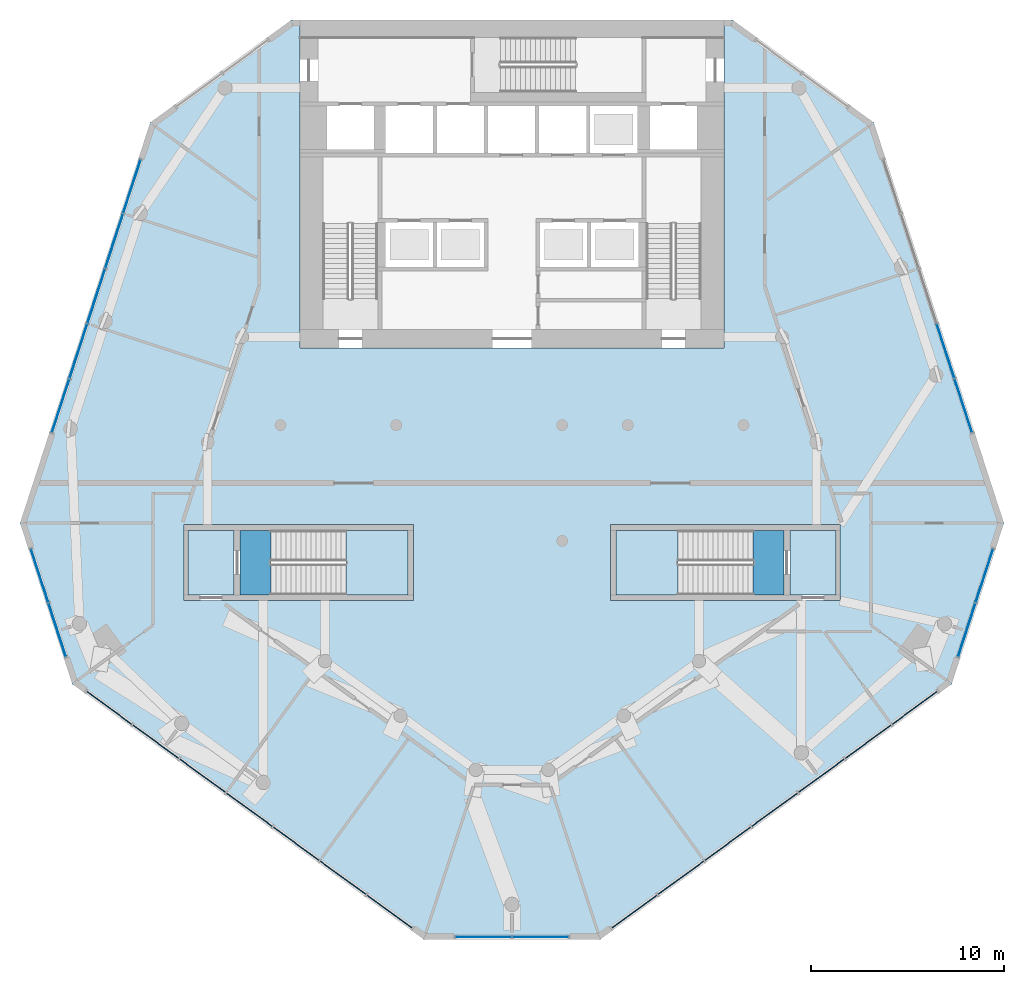
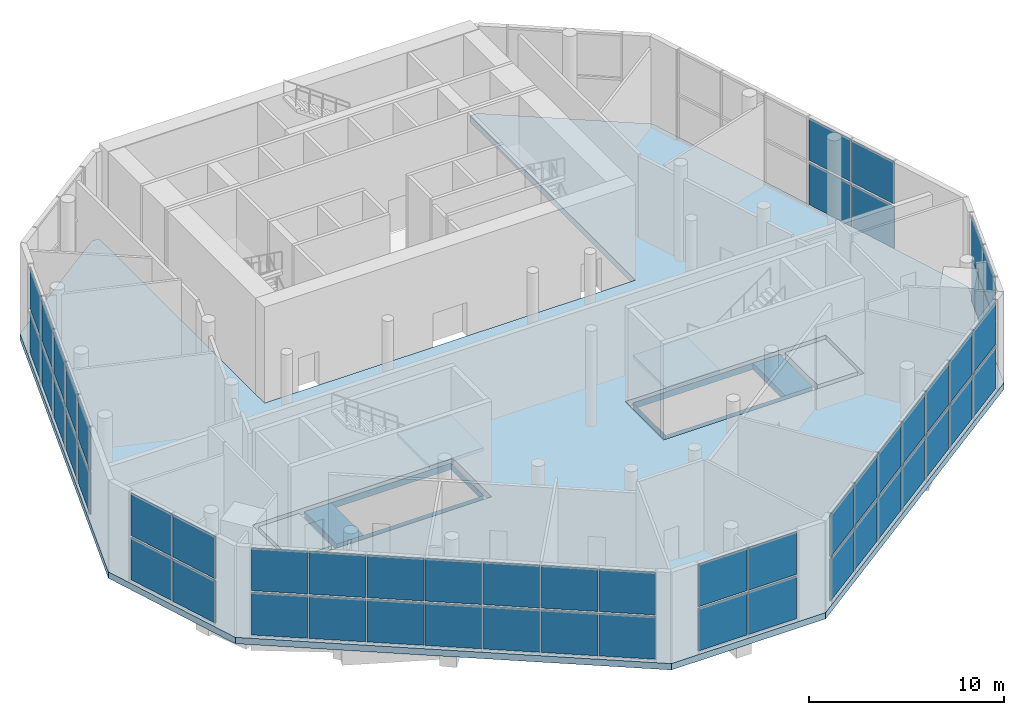
# One storey, part 6 of 14: 54 plates, 7 slabs, 9 elements without a shape of their own.
"""IFC4 building model written with IfcOpenShell, lengths in metres."""

from ifc_helpers import new_model, si_unit, direction, frame, origin, origin_2d, place, context, subcontext, project, spatial, polyline, rectangle, outline, extrude, material, layer, layer_set, type_object, element, aggregate, save


model = new_model("IFC4")

# Units and contexts
model_context = context("Model", 3, precision=1e-05, world=origin(), true_north=direction((0.0, 1.0)))
body_context = subcontext(model_context, "Body", "Model", "MODEL_VIEW")
ifc_project = project(units=[si_unit("LENGTHUNIT", "METRE"), si_unit("AREAUNIT", "SQUARE_METRE"), si_unit("VOLUMEUNIT", "CUBIC_METRE"), si_unit("PLANEANGLEUNIT", "RADIAN"), si_unit("MASSUNIT", "GRAM", prefix="KILO")], contexts=[model_context])

# Site, building, storey
site_placement = place(None, origin())
site = spatial("IfcSite", under=ifc_project, at=site_placement, CompositionType="ELEMENT")
building_placement = place(site_placement, origin())
building = spatial("IfcBuilding", under=site, at=building_placement, Name="White Candle Pilgrim Tower", CompositionType="ELEMENT")
storey_placement = place(building_placement, frame((0.0, 0.0, 142.60009765625)))
storey = spatial("IfcBuildingStorey", under=building, at=storey_placement, Name="L32", CompositionType="ELEMENT", Elevation=142.60009765625)

# Curtain wall, plates
ifc_material_1 = material(Name="Aluminium and glass", Category="aluminium")
curtain_wall_type = type_object("IfcCurtainWallType", Name="Curtain wall CW4 sky floor glazing", PredefinedType="NOTDEFINED", material=ifc_material_1)
curtain_wall_1_placement = place(storey_placement, origin())
curtain_wall_1 = element("IfcCurtainWall", 1, at=curtain_wall_1_placement, inside=storey, type_object=curtain_wall_type, Name="Curtain wall CW4 L32 W chamfer", PredefinedType="NOTDEFINED")
ifc_material_2 = material(Name="Glass, triple glazed", Category="glass")
ifc_layer_1 = layer(ifc_material_2, 0.0439453125)
ifc_layer_set_1 = layer_set([ifc_layer_1], Name="CW4 glazing panel 44")
plate_type = type_object("IfcPlateType", Name="CW4 glazing panel 44", PredefinedType="CURTAIN_PANEL", material=ifc_layer_set_1)
plate_1_placement = place(storey_placement, frame((45.5146484375, 59.19873046875, 0.14013671875), z_axis=(0.0, 0.0, 1.0), x_axis=(0.309017017829, -0.951056508674, 0.0)))
plate_1 = element("IfcPlate", 2, at=plate_1_placement, type_object=plate_type, Name="CW4 panel 1.1", PredefinedType="CURTAIN_PANEL", context=body_context, shape_type="SweptSolid", body=[
    extrude(rectangle(XDim=2.8798828125, YDim=0.0439453125, at=origin_2d()), origin(), (0.0, 0.0, 1.0), 2.639892578125),
])
plate_2_placement = place(storey_placement, frame((45.5146484375, 59.19873046875, 2.919921875), z_axis=(0.0, 0.0, 1.0), x_axis=(0.309017017829, -0.951056508674, 0.0)))
plate_2 = element("IfcPlate", 3, at=plate_2_placement, type_object=plate_type, Name="CW4 panel 1.2", PredefinedType="CURTAIN_PANEL", context=body_context, shape_type="SweptSolid", body=[
    extrude(rectangle(XDim=2.8798828125, YDim=0.0439453125, at=origin_2d()), origin(), (0.0, 0.0, 1.0), 2.639892578125),
])
plate_3_placement = place(storey_placement, frame((46.42919921875, 56.383544921875, 0.14013671875), z_axis=(0.0, 0.0, 1.0), x_axis=(0.309017017829, -0.951056508674, 0.0)))
plate_3 = element("IfcPlate", 4, at=plate_3_placement, type_object=plate_type, Name="CW4 panel 2.1", PredefinedType="CURTAIN_PANEL", context=body_context, shape_type="SweptSolid", body=[
    extrude(rectangle(XDim=2.8798828125, YDim=0.0439453125, at=origin_2d()), origin(), (0.0, 0.0, 1.0), 2.639892578125),
])
plate_4_placement = place(storey_placement, frame((46.42919921875, 56.383544921875, 2.919921875), z_axis=(0.0, 0.0, 1.0), x_axis=(0.309017017829, -0.951056508674, 0.0)))
plate_4 = element("IfcPlate", 5, at=plate_4_placement, type_object=plate_type, Name="CW4 panel 2.2", PredefinedType="CURTAIN_PANEL", context=body_context, shape_type="SweptSolid", body=[
    extrude(rectangle(XDim=2.8798828125, YDim=0.0439453125, at=origin_2d()), origin(), (0.0, 0.0, 1.0), 2.639892578125),
])
aggregate(curtain_wall_1, [plate_1, plate_2, plate_3, plate_4])

curtain_wall_2_placement = place(storey_placement, origin())
curtain_wall_2 = element("IfcCurtainWall", 6, at=curtain_wall_2_placement, inside=storey, type_object=curtain_wall_type, Name="Curtain wall CW4 L32 SW", PredefinedType="NOTDEFINED")
plate_5_placement = place(storey_placement, frame((49.125, 52.3447265625, 0.14013671875), z_axis=(0.0, 0.0, 1.0), x_axis=(0.809016999002, -0.587785245924, 0.0)))
plate_5 = element("IfcPlate", 7, at=plate_5_placement, type_object=plate_type, Name="CW4 panel 1.1", PredefinedType="CURTAIN_PANEL", context=body_context, shape_type="SweptSolid", body=[
    extrude(rectangle(XDim=2.8798828125, YDim=0.0439453125, at=origin_2d()), origin(), (0.0, 0.0, 1.0), 2.639892578125),
])
plate_6_placement = place(storey_placement, frame((49.125, 52.3447265625, 2.919921875), z_axis=(0.0, 0.0, 1.0), x_axis=(0.809016999002, -0.587785245924, 0.0)))
plate_6 = element("IfcPlate", 8, at=plate_6_placement, type_object=plate_type, Name="CW4 panel 1.2", PredefinedType="CURTAIN_PANEL", context=body_context, shape_type="SweptSolid", body=[
    extrude(rectangle(XDim=2.8798828125, YDim=0.0439453125, at=origin_2d()), origin(), (0.0, 0.0, 1.0), 2.639892578125),
])
plate_7_placement = place(storey_placement, frame((51.53564453125, 50.593017578125, 0.14013671875), z_axis=(0.0, 0.0, 1.0), x_axis=(0.809016999002, -0.587785245924, 0.0)))
plate_7 = element("IfcPlate", 9, at=plate_7_placement, type_object=plate_type, Name="CW4 panel 2.1", PredefinedType="CURTAIN_PANEL", context=body_context, shape_type="SweptSolid", body=[
    extrude(rectangle(XDim=2.919921875, YDim=0.0439453125, at=origin_2d()), origin(), (0.0, 0.0, 1.0), 2.639892578125),
])
plate_8_placement = place(storey_placement, frame((51.53564453125, 50.593017578125, 2.919921875), z_axis=(0.0, 0.0, 1.0), x_axis=(0.809016999002, -0.587785245924, 0.0)))
plate_8 = element("IfcPlate", 10, at=plate_8_placement, type_object=plate_type, Name="CW4 panel 2.2", PredefinedType="CURTAIN_PANEL", context=body_context, shape_type="SweptSolid", body=[
    extrude(rectangle(XDim=2.919921875, YDim=0.0439453125, at=origin_2d()), origin(), (0.0, 0.0, 1.0), 2.639892578125),
])
plate_9_placement = place(storey_placement, frame((53.962890625, 48.829833984375, 0.14013671875), z_axis=(0.0, 0.0, 1.0), x_axis=(0.809016999002, -0.587785245924, 0.0)))
plate_9 = element("IfcPlate", 11, at=plate_9_placement, type_object=plate_type, Name="CW4 panel 3.1", PredefinedType="CURTAIN_PANEL", context=body_context, shape_type="SweptSolid", body=[
    extrude(rectangle(XDim=2.919921875, YDim=0.0439453125, at=origin_2d()), origin(), (0.0, 0.0, 1.0), 2.639892578125),
])
plate_10_placement = place(storey_placement, frame((53.962890625, 48.829833984375, 2.919921875), z_axis=(0.0, 0.0, 1.0), x_axis=(0.809016999002, -0.587785245924, 0.0)))
plate_10 = element("IfcPlate", 12, at=plate_10_placement, type_object=plate_type, Name="CW4 panel 3.2", PredefinedType="CURTAIN_PANEL", context=body_context, shape_type="SweptSolid", body=[
    extrude(rectangle(XDim=2.919921875, YDim=0.0439453125, at=origin_2d()), origin(), (0.0, 0.0, 1.0), 2.639892578125),
])
plate_11_placement = place(storey_placement, frame((56.389892578125, 47.06640625, 0.14013671875), z_axis=(0.0, 0.0, 1.0), x_axis=(0.809016999002, -0.587785245924, 0.0)))
plate_11 = element("IfcPlate", 13, at=plate_11_placement, type_object=plate_type, Name="CW4 panel 4.1", PredefinedType="CURTAIN_PANEL", context=body_context, shape_type="SweptSolid", body=[
    extrude(rectangle(XDim=2.919921875, YDim=0.0439453125, at=origin_2d()), origin(), (0.0, 0.0, 1.0), 2.639892578125),
])
plate_12_placement = place(storey_placement, frame((56.389892578125, 47.06640625, 2.919921875), z_axis=(0.0, 0.0, 1.0), x_axis=(0.809016999002, -0.587785245924, 0.0)))
plate_12 = element("IfcPlate", 14, at=plate_12_placement, type_object=plate_type, Name="CW4 panel 4.2", PredefinedType="CURTAIN_PANEL", context=body_context, shape_type="SweptSolid", body=[
    extrude(rectangle(XDim=2.919921875, YDim=0.0439453125, at=origin_2d()), origin(), (0.0, 0.0, 1.0), 2.639892578125),
])
plate_13_placement = place(storey_placement, frame((58.81689453125, 45.302978515625, 0.14013671875), z_axis=(0.0, 0.0, 1.0), x_axis=(0.809016999002, -0.587785245924, 0.0)))
plate_13 = element("IfcPlate", 15, at=plate_13_placement, type_object=plate_type, Name="CW4 panel 5.1", PredefinedType="CURTAIN_PANEL", context=body_context, shape_type="SweptSolid", body=[
    extrude(rectangle(XDim=2.919921875, YDim=0.0439453125, at=origin_2d()), origin(), (0.0, 0.0, 1.0), 2.639892578125),
])
plate_14_placement = place(storey_placement, frame((58.81689453125, 45.302978515625, 2.919921875), z_axis=(0.0, 0.0, 1.0), x_axis=(0.809016999002, -0.587785245924, 0.0)))
plate_14 = element("IfcPlate", 16, at=plate_14_placement, type_object=plate_type, Name="CW4 panel 5.2", PredefinedType="CURTAIN_PANEL", context=body_context, shape_type="SweptSolid", body=[
    extrude(rectangle(XDim=2.919921875, YDim=0.0439453125, at=origin_2d()), origin(), (0.0, 0.0, 1.0), 2.639892578125),
])
plate_15_placement = place(storey_placement, frame((61.243896484375, 43.539794921875, 0.14013671875), z_axis=(0.0, 0.0, 1.0), x_axis=(0.809016999002, -0.587785245924, 0.0)))
plate_15 = element("IfcPlate", 17, at=plate_15_placement, type_object=plate_type, Name="CW4 panel 6.1", PredefinedType="CURTAIN_PANEL", context=body_context, shape_type="SweptSolid", body=[
    extrude(rectangle(XDim=2.919921875, YDim=0.0439453125, at=origin_2d()), origin(), (0.0, 0.0, 1.0), 2.639892578125),
])
plate_16_placement = place(storey_placement, frame((61.243896484375, 43.539794921875, 2.919921875), z_axis=(0.0, 0.0, 1.0), x_axis=(0.809016999002, -0.587785245924, 0.0)))
plate_16 = element("IfcPlate", 18, at=plate_16_placement, type_object=plate_type, Name="CW4 panel 6.2", PredefinedType="CURTAIN_PANEL", context=body_context, shape_type="SweptSolid", body=[
    extrude(rectangle(XDim=2.919921875, YDim=0.0439453125, at=origin_2d()), origin(), (0.0, 0.0, 1.0), 2.639892578125),
])
plate_17_placement = place(storey_placement, frame((63.65478515625, 41.7880859375, 0.14013671875), z_axis=(0.0, 0.0, 1.0), x_axis=(0.809016999002, -0.587785245924, 0.0)))
plate_17 = element("IfcPlate", 19, at=plate_17_placement, type_object=plate_type, Name="CW4 panel 7.1", PredefinedType="CURTAIN_PANEL", context=body_context, shape_type="SweptSolid", body=[
    extrude(rectangle(XDim=2.8798828125, YDim=0.0439453125, at=origin_2d()), origin(), (0.0, 0.0, 1.0), 2.639892578125),
])
plate_18_placement = place(storey_placement, frame((63.65478515625, 41.7880859375, 2.919921875), z_axis=(0.0, 0.0, 1.0), x_axis=(0.809016999002, -0.587785245924, 0.0)))
plate_18 = element("IfcPlate", 20, at=plate_18_placement, type_object=plate_type, Name="CW4 panel 7.2", PredefinedType="CURTAIN_PANEL", context=body_context, shape_type="SweptSolid", body=[
    extrude(rectangle(XDim=2.8798828125, YDim=0.0439453125, at=origin_2d()), origin(), (0.0, 0.0, 1.0), 2.639892578125),
])
aggregate(curtain_wall_2, [plate_5, plate_6, plate_7, plate_8, plate_9, plate_10, plate_11, plate_12, plate_13, plate_14, plate_15, plate_16, plate_17, plate_18])

curtain_wall_3_placement = place(storey_placement, origin())
curtain_wall_3 = element("IfcCurtainWall", 21, at=curtain_wall_3_placement, inside=storey, type_object=curtain_wall_type, Name="Curtain wall CW4 L32 S chamfer", PredefinedType="NOTDEFINED")
plate_19_placement = place(storey_placement, frame((68.52001953125, 40.472412109375, 0.14013671875), z_axis=(0.0, 0.0, 1.0), x_axis=(1.0, 0.0, 0.0)))
plate_19 = element("IfcPlate", 22, at=plate_19_placement, type_object=plate_type, Name="CW4 panel 1.1", PredefinedType="CURTAIN_PANEL", context=body_context, shape_type="SweptSolid", body=[
    extrude(rectangle(XDim=2.8798828125, YDim=0.0439453125, at=origin_2d()), origin(), (0.0, 0.0, 1.0), 2.639892578125),
])
plate_20_placement = place(storey_placement, frame((68.52001953125, 40.472412109375, 2.919921875), z_axis=(0.0, 0.0, 1.0), x_axis=(1.0, 0.0, 0.0)))
plate_20 = element("IfcPlate", 23, at=plate_20_placement, type_object=plate_type, Name="CW4 panel 1.2", PredefinedType="CURTAIN_PANEL", context=body_context, shape_type="SweptSolid", body=[
    extrude(rectangle(XDim=2.8798828125, YDim=0.0439453125, at=origin_2d()), origin(), (0.0, 0.0, 1.0), 2.639892578125),
])
plate_21_placement = place(storey_placement, frame((71.47998046875, 40.472412109375, 0.14013671875), z_axis=(0.0, 0.0, 1.0), x_axis=(1.0, 0.0, 0.0)))
plate_21 = element("IfcPlate", 24, at=plate_21_placement, type_object=plate_type, Name="CW4 panel 2.1", PredefinedType="CURTAIN_PANEL", context=body_context, shape_type="SweptSolid", body=[
    extrude(rectangle(XDim=2.8798828125, YDim=0.0439453125, at=origin_2d()), origin(), (0.0, 0.0, 1.0), 2.639892578125),
])
plate_22_placement = place(storey_placement, frame((71.47998046875, 40.472412109375, 2.919921875), z_axis=(0.0, 0.0, 1.0), x_axis=(1.0, 0.0, 0.0)))
plate_22 = element("IfcPlate", 25, at=plate_22_placement, type_object=plate_type, Name="CW4 panel 2.2", PredefinedType="CURTAIN_PANEL", context=body_context, shape_type="SweptSolid", body=[
    extrude(rectangle(XDim=2.8798828125, YDim=0.0439453125, at=origin_2d()), origin(), (0.0, 0.0, 1.0), 2.639892578125),
])
aggregate(curtain_wall_3, [plate_19, plate_20, plate_21, plate_22])

curtain_wall_4_placement = place(storey_placement, origin())
curtain_wall_4 = element("IfcCurtainWall", 26, at=curtain_wall_4_placement, inside=storey, type_object=curtain_wall_type, Name="Curtain wall CW4 L32 SE", PredefinedType="NOTDEFINED")
plate_23_placement = place(storey_placement, frame((76.34521484375, 41.7880859375, 0.14013671875), z_axis=(0.0, 0.0, 1.0), x_axis=(0.809016999002, 0.587785245924, 0.0)))
plate_23 = element("IfcPlate", 27, at=plate_23_placement, type_object=plate_type, Name="CW4 panel 1.1", PredefinedType="CURTAIN_PANEL", context=body_context, shape_type="SweptSolid", body=[
    extrude(rectangle(XDim=2.8798828125, YDim=0.0439453125, at=origin_2d()), origin(), (0.0, 0.0, 1.0), 2.639892578125),
])
plate_24_placement = place(storey_placement, frame((76.34521484375, 41.7880859375, 2.919921875), z_axis=(0.0, 0.0, 1.0), x_axis=(0.809016999002, 0.587785245924, 0.0)))
plate_24 = element("IfcPlate", 28, at=plate_24_placement, type_object=plate_type, Name="CW4 panel 1.2", PredefinedType="CURTAIN_PANEL", context=body_context, shape_type="SweptSolid", body=[
    extrude(rectangle(XDim=2.8798828125, YDim=0.0439453125, at=origin_2d()), origin(), (0.0, 0.0, 1.0), 2.639892578125),
])
plate_25_placement = place(storey_placement, frame((78.756103515625, 43.539794921875, 0.14013671875), z_axis=(0.0, 0.0, 1.0), x_axis=(0.809016999002, 0.587785245924, 0.0)))
plate_25 = element("IfcPlate", 29, at=plate_25_placement, type_object=plate_type, Name="CW4 panel 2.1", PredefinedType="CURTAIN_PANEL", context=body_context, shape_type="SweptSolid", body=[
    extrude(rectangle(XDim=2.919921875, YDim=0.0439453125, at=origin_2d()), origin(), (0.0, 0.0, 1.0), 2.639892578125),
])
plate_26_placement = place(storey_placement, frame((78.756103515625, 43.539794921875, 2.919921875), z_axis=(0.0, 0.0, 1.0), x_axis=(0.809016999002, 0.587785245924, 0.0)))
plate_26 = element("IfcPlate", 30, at=plate_26_placement, type_object=plate_type, Name="CW4 panel 2.2", PredefinedType="CURTAIN_PANEL", context=body_context, shape_type="SweptSolid", body=[
    extrude(rectangle(XDim=2.919921875, YDim=0.0439453125, at=origin_2d()), origin(), (0.0, 0.0, 1.0), 2.639892578125),
])
plate_27_placement = place(storey_placement, frame((81.18310546875, 45.302978515625, 0.14013671875), z_axis=(0.0, 0.0, 1.0), x_axis=(0.809016999002, 0.587785245924, 0.0)))
plate_27 = element("IfcPlate", 31, at=plate_27_placement, type_object=plate_type, Name="CW4 panel 3.1", PredefinedType="CURTAIN_PANEL", context=body_context, shape_type="SweptSolid", body=[
    extrude(rectangle(XDim=2.919921875, YDim=0.0439453125, at=origin_2d()), origin(), (0.0, 0.0, 1.0), 2.639892578125),
])
plate_28_placement = place(storey_placement, frame((81.18310546875, 45.302978515625, 2.919921875), z_axis=(0.0, 0.0, 1.0), x_axis=(0.809016999002, 0.587785245924, 0.0)))
plate_28 = element("IfcPlate", 32, at=plate_28_placement, type_object=plate_type, Name="CW4 panel 3.2", PredefinedType="CURTAIN_PANEL", context=body_context, shape_type="SweptSolid", body=[
    extrude(rectangle(XDim=2.919921875, YDim=0.0439453125, at=origin_2d()), origin(), (0.0, 0.0, 1.0), 2.639892578125),
])
plate_29_placement = place(storey_placement, frame((83.610107421875, 47.06640625, 0.14013671875), z_axis=(0.0, 0.0, 1.0), x_axis=(0.809016999002, 0.587785245924, 0.0)))
plate_29 = element("IfcPlate", 33, at=plate_29_placement, type_object=plate_type, Name="CW4 panel 4.1", PredefinedType="CURTAIN_PANEL", context=body_context, shape_type="SweptSolid", body=[
    extrude(rectangle(XDim=2.919921875, YDim=0.0439453125, at=origin_2d()), origin(), (0.0, 0.0, 1.0), 2.639892578125),
])
plate_30_placement = place(storey_placement, frame((83.610107421875, 47.06640625, 2.919921875), z_axis=(0.0, 0.0, 1.0), x_axis=(0.809016999002, 0.587785245924, 0.0)))
plate_30 = element("IfcPlate", 34, at=plate_30_placement, type_object=plate_type, Name="CW4 panel 4.2", PredefinedType="CURTAIN_PANEL", context=body_context, shape_type="SweptSolid", body=[
    extrude(rectangle(XDim=2.919921875, YDim=0.0439453125, at=origin_2d()), origin(), (0.0, 0.0, 1.0), 2.639892578125),
])
plate_31_placement = place(storey_placement, frame((86.037109375, 48.829833984375, 0.14013671875), z_axis=(0.0, 0.0, 1.0), x_axis=(0.809016999002, 0.587785245924, 0.0)))
plate_31 = element("IfcPlate", 35, at=plate_31_placement, type_object=plate_type, Name="CW4 panel 5.1", PredefinedType="CURTAIN_PANEL", context=body_context, shape_type="SweptSolid", body=[
    extrude(rectangle(XDim=2.919921875, YDim=0.0439453125, at=origin_2d()), origin(), (0.0, 0.0, 1.0), 2.639892578125),
])
plate_32_placement = place(storey_placement, frame((86.037109375, 48.829833984375, 2.919921875), z_axis=(0.0, 0.0, 1.0), x_axis=(0.809016999002, 0.587785245924, 0.0)))
plate_32 = element("IfcPlate", 36, at=plate_32_placement, type_object=plate_type, Name="CW4 panel 5.2", PredefinedType="CURTAIN_PANEL", context=body_context, shape_type="SweptSolid", body=[
    extrude(rectangle(XDim=2.919921875, YDim=0.0439453125, at=origin_2d()), origin(), (0.0, 0.0, 1.0), 2.639892578125),
])
plate_33_placement = place(storey_placement, frame((88.46435546875, 50.593017578125, 0.14013671875), z_axis=(0.0, 0.0, 1.0), x_axis=(0.809016999002, 0.587785245924, 0.0)))
plate_33 = element("IfcPlate", 37, at=plate_33_placement, type_object=plate_type, Name="CW4 panel 6.1", PredefinedType="CURTAIN_PANEL", context=body_context, shape_type="SweptSolid", body=[
    extrude(rectangle(XDim=2.919921875, YDim=0.0439453125, at=origin_2d()), origin(), (0.0, 0.0, 1.0), 2.639892578125),
])
plate_34_placement = place(storey_placement, frame((88.46435546875, 50.593017578125, 2.919921875), z_axis=(0.0, 0.0, 1.0), x_axis=(0.809016999002, 0.587785245924, 0.0)))
plate_34 = element("IfcPlate", 38, at=plate_34_placement, type_object=plate_type, Name="CW4 panel 6.2", PredefinedType="CURTAIN_PANEL", context=body_context, shape_type="SweptSolid", body=[
    extrude(rectangle(XDim=2.919921875, YDim=0.0439453125, at=origin_2d()), origin(), (0.0, 0.0, 1.0), 2.639892578125),
])
plate_35_placement = place(storey_placement, frame((90.875, 52.3447265625, 0.14013671875), z_axis=(0.0, 0.0, 1.0), x_axis=(0.809016999002, 0.587785245924, 0.0)))
plate_35 = element("IfcPlate", 39, at=plate_35_placement, type_object=plate_type, Name="CW4 panel 7.1", PredefinedType="CURTAIN_PANEL", context=body_context, shape_type="SweptSolid", body=[
    extrude(rectangle(XDim=2.8798828125, YDim=0.0439453125, at=origin_2d()), origin(), (0.0, 0.0, 1.0), 2.639892578125),
])
plate_36_placement = place(storey_placement, frame((90.875, 52.3447265625, 2.919921875), z_axis=(0.0, 0.0, 1.0), x_axis=(0.809016999002, 0.587785245924, 0.0)))
plate_36 = element("IfcPlate", 40, at=plate_36_placement, type_object=plate_type, Name="CW4 panel 7.2", PredefinedType="CURTAIN_PANEL", context=body_context, shape_type="SweptSolid", body=[
    extrude(rectangle(XDim=2.8798828125, YDim=0.0439453125, at=origin_2d()), origin(), (0.0, 0.0, 1.0), 2.639892578125),
])
aggregate(curtain_wall_4, [plate_23, plate_24, plate_25, plate_26, plate_27, plate_28, plate_29, plate_30, plate_31, plate_32, plate_33, plate_34, plate_35, plate_36])

curtain_wall_5_placement = place(storey_placement, origin())
curtain_wall_5 = element("IfcCurtainWall", 41, at=curtain_wall_5_placement, inside=storey, type_object=curtain_wall_type, Name="Curtain wall CW4 L32 E chamfer", PredefinedType="NOTDEFINED")
plate_37_placement = place(storey_placement, frame((93.57080078125, 56.383544921875, 0.14013671875), z_axis=(0.0, 0.0, 1.0), x_axis=(0.309017017829, 0.951056508674, 0.0)))
plate_37 = element("IfcPlate", 42, at=plate_37_placement, type_object=plate_type, Name="CW4 panel 1.1", PredefinedType="CURTAIN_PANEL", context=body_context, shape_type="SweptSolid", body=[
    extrude(rectangle(XDim=2.8798828125, YDim=0.0439453125, at=origin_2d()), origin(), (0.0, 0.0, 1.0), 2.639892578125),
])
plate_38_placement = place(storey_placement, frame((93.57080078125, 56.383544921875, 2.919921875), z_axis=(0.0, 0.0, 1.0), x_axis=(0.309017017829, 0.951056508674, 0.0)))
plate_38 = element("IfcPlate", 43, at=plate_38_placement, type_object=plate_type, Name="CW4 panel 1.2", PredefinedType="CURTAIN_PANEL", context=body_context, shape_type="SweptSolid", body=[
    extrude(rectangle(XDim=2.8798828125, YDim=0.0439453125, at=origin_2d()), origin(), (0.0, 0.0, 1.0), 2.639892578125),
])
plate_39_placement = place(storey_placement, frame((94.4853515625, 59.19873046875, 0.14013671875), z_axis=(0.0, 0.0, 1.0), x_axis=(0.309017017829, 0.951056508674, 0.0)))
plate_39 = element("IfcPlate", 44, at=plate_39_placement, type_object=plate_type, Name="CW4 panel 2.1", PredefinedType="CURTAIN_PANEL", context=body_context, shape_type="SweptSolid", body=[
    extrude(rectangle(XDim=2.8798828125, YDim=0.0439453125, at=origin_2d()), origin(), (0.0, 0.0, 1.0), 2.639892578125),
])
plate_40_placement = place(storey_placement, frame((94.4853515625, 59.19873046875, 2.919921875), z_axis=(0.0, 0.0, 1.0), x_axis=(0.309017017829, 0.951056508674, 0.0)))
plate_40 = element("IfcPlate", 45, at=plate_40_placement, type_object=plate_type, Name="CW4 panel 2.2", PredefinedType="CURTAIN_PANEL", context=body_context, shape_type="SweptSolid", body=[
    extrude(rectangle(XDim=2.8798828125, YDim=0.0439453125, at=origin_2d()), origin(), (0.0, 0.0, 1.0), 2.639892578125),
])
aggregate(curtain_wall_5, [plate_37, plate_38, plate_39, plate_40])

curtain_wall_6_placement = place(storey_placement, origin())
curtain_wall_6 = element("IfcCurtainWall", 46, at=curtain_wall_6_placement, inside=storey, type_object=curtain_wall_type, Name="Curtain wall CW4 L32 ENE", PredefinedType="NOTDEFINED")
plate_41_placement = place(storey_placement, frame((93.39453125, 68.002685546875, 0.14013671875), z_axis=(0.0, 0.0, 1.0), x_axis=(-0.309017010459, 0.951056511069, 0.0)))
plate_41 = element("IfcPlate", 47, at=plate_41_placement, type_object=plate_type, Name="CW4 panel 1.1", PredefinedType="CURTAIN_PANEL", context=body_context, shape_type="SweptSolid", body=[
    extrude(rectangle(XDim=2.8798828125, YDim=0.0439453125, at=origin_2d()), origin(), (0.0, 0.0, 1.0), 2.639892578125),
])
plate_42_placement = place(storey_placement, frame((93.39453125, 68.002685546875, 2.919921875), z_axis=(0.0, 0.0, 1.0), x_axis=(-0.309017010459, 0.951056511069, 0.0)))
plate_42 = element("IfcPlate", 48, at=plate_42_placement, type_object=plate_type, Name="CW4 panel 1.2", PredefinedType="CURTAIN_PANEL", context=body_context, shape_type="SweptSolid", body=[
    extrude(rectangle(XDim=2.8798828125, YDim=0.0439453125, at=origin_2d()), origin(), (0.0, 0.0, 1.0), 2.639892578125),
])
plate_43_placement = place(storey_placement, frame((92.4736328125, 70.8369140625, 0.14013671875), z_axis=(0.0, 0.0, 1.0), x_axis=(-0.309017010459, 0.951056511069, 0.0)))
plate_43 = element("IfcPlate", 49, at=plate_43_placement, type_object=plate_type, Name="CW4 panel 2.1", PredefinedType="CURTAIN_PANEL", context=body_context, shape_type="SweptSolid", body=[
    extrude(rectangle(XDim=2.919921875, YDim=0.0439453125, at=origin_2d()), origin(), (0.0, 0.0, 1.0), 2.639892578125),
])
plate_44_placement = place(storey_placement, frame((92.4736328125, 70.8369140625, 2.919921875), z_axis=(0.0, 0.0, 1.0), x_axis=(-0.309017010459, 0.951056511069, 0.0)))
plate_44 = element("IfcPlate", 50, at=plate_44_placement, type_object=plate_type, Name="CW4 panel 2.2", PredefinedType="CURTAIN_PANEL", context=body_context, shape_type="SweptSolid", body=[
    extrude(rectangle(XDim=2.919921875, YDim=0.0439453125, at=origin_2d()), origin(), (0.0, 0.0, 1.0), 2.639892578125),
])
aggregate(curtain_wall_6, [plate_41, plate_42, plate_43, plate_44])

curtain_wall_7_placement = place(storey_placement, origin())
curtain_wall_7 = element("IfcCurtainWall", 51, at=curtain_wall_7_placement, inside=storey, type_object=curtain_wall_type, Name="Curtain wall CW4 L32 WNW", PredefinedType="NOTDEFINED")
plate_45_placement = place(storey_placement, frame((50.30126953125, 79.37744140625, 0.14013671875), z_axis=(0.0, 0.0, 1.0), x_axis=(-0.30901701041, -0.951056511085, 0.0)))
plate_45 = element("IfcPlate", 52, at=plate_45_placement, type_object=plate_type, Name="CW4 panel 1.1", PredefinedType="CURTAIN_PANEL", context=body_context, shape_type="SweptSolid", body=[
    extrude(rectangle(XDim=2.8798828125, YDim=0.0439453125, at=origin_2d()), origin(), (0.0, 0.0, 1.0), 2.639892578125),
])
plate_46_placement = place(storey_placement, frame((50.30126953125, 79.37744140625, 2.919921875), z_axis=(0.0, 0.0, 1.0), x_axis=(-0.30901701041, -0.951056511085, 0.0)))
plate_46 = element("IfcPlate", 53, at=plate_46_placement, type_object=plate_type, Name="CW4 panel 1.2", PredefinedType="CURTAIN_PANEL", context=body_context, shape_type="SweptSolid", body=[
    extrude(rectangle(XDim=2.8798828125, YDim=0.0439453125, at=origin_2d()), origin(), (0.0, 0.0, 1.0), 2.639892578125),
])
plate_47_placement = place(storey_placement, frame((49.38037109375, 76.543212890625, 0.14013671875), z_axis=(0.0, 0.0, 1.0), x_axis=(-0.30901701041, -0.951056511085, 0.0)))
plate_47 = element("IfcPlate", 54, at=plate_47_placement, type_object=plate_type, Name="CW4 panel 2.1", PredefinedType="CURTAIN_PANEL", context=body_context, shape_type="SweptSolid", body=[
    extrude(rectangle(XDim=2.919921875, YDim=0.0439453125, at=origin_2d()), origin(), (0.0, 0.0, 1.0), 2.639892578125),
])
plate_48_placement = place(storey_placement, frame((49.38037109375, 76.543212890625, 2.919921875), z_axis=(0.0, 0.0, 1.0), x_axis=(-0.30901701041, -0.951056511085, 0.0)))
plate_48 = element("IfcPlate", 55, at=plate_48_placement, type_object=plate_type, Name="CW4 panel 2.2", PredefinedType="CURTAIN_PANEL", context=body_context, shape_type="SweptSolid", body=[
    extrude(rectangle(XDim=2.919921875, YDim=0.0439453125, at=origin_2d()), origin(), (0.0, 0.0, 1.0), 2.639892578125),
])
plate_49_placement = place(storey_placement, frame((48.453369140625, 73.690185546875, 0.14013671875), z_axis=(0.0, 0.0, 1.0), x_axis=(-0.30901701041, -0.951056511085, 0.0)))
plate_49 = element("IfcPlate", 56, at=plate_49_placement, type_object=plate_type, Name="CW4 panel 3.1", PredefinedType="CURTAIN_PANEL", context=body_context, shape_type="SweptSolid", body=[
    extrude(rectangle(XDim=2.919921875, YDim=0.0439453125, at=origin_2d()), origin(), (0.0, 0.0, 1.0), 2.639892578125),
])
plate_50_placement = place(storey_placement, frame((48.453369140625, 73.690185546875, 2.919921875), z_axis=(0.0, 0.0, 1.0), x_axis=(-0.30901701041, -0.951056511085, 0.0)))
plate_50 = element("IfcPlate", 57, at=plate_50_placement, type_object=plate_type, Name="CW4 panel 3.2", PredefinedType="CURTAIN_PANEL", context=body_context, shape_type="SweptSolid", body=[
    extrude(rectangle(XDim=2.919921875, YDim=0.0439453125, at=origin_2d()), origin(), (0.0, 0.0, 1.0), 2.639892578125),
])
plate_51_placement = place(storey_placement, frame((47.5263671875, 70.8369140625, 0.14013671875), z_axis=(0.0, 0.0, 1.0), x_axis=(-0.30901701041, -0.951056511085, 0.0)))
plate_51 = element("IfcPlate", 58, at=plate_51_placement, type_object=plate_type, Name="CW4 panel 4.1", PredefinedType="CURTAIN_PANEL", context=body_context, shape_type="SweptSolid", body=[
    extrude(rectangle(XDim=2.919921875, YDim=0.0439453125, at=origin_2d()), origin(), (0.0, 0.0, 1.0), 2.639892578125),
])
plate_52_placement = place(storey_placement, frame((47.5263671875, 70.8369140625, 2.919921875), z_axis=(0.0, 0.0, 1.0), x_axis=(-0.30901701041, -0.951056511085, 0.0)))
plate_52 = element("IfcPlate", 59, at=plate_52_placement, type_object=plate_type, Name="CW4 panel 4.2", PredefinedType="CURTAIN_PANEL", context=body_context, shape_type="SweptSolid", body=[
    extrude(rectangle(XDim=2.919921875, YDim=0.0439453125, at=origin_2d()), origin(), (0.0, 0.0, 1.0), 2.639892578125),
])
plate_53_placement = place(storey_placement, frame((46.60546875, 68.002685546875, 0.14013671875), z_axis=(0.0, 0.0, 1.0), x_axis=(-0.30901701041, -0.951056511085, 0.0)))
plate_53 = element("IfcPlate", 60, at=plate_53_placement, type_object=plate_type, Name="CW4 panel 5.1", PredefinedType="CURTAIN_PANEL", context=body_context, shape_type="SweptSolid", body=[
    extrude(rectangle(XDim=2.8798828125, YDim=0.0439453125, at=origin_2d()), origin(), (0.0, 0.0, 1.0), 2.639892578125),
])
plate_54_placement = place(storey_placement, frame((46.60546875, 68.002685546875, 2.919921875), z_axis=(0.0, 0.0, 1.0), x_axis=(-0.30901701041, -0.951056511085, 0.0)))
plate_54 = element("IfcPlate", 61, at=plate_54_placement, type_object=plate_type, Name="CW4 panel 5.2", PredefinedType="CURTAIN_PANEL", context=body_context, shape_type="SweptSolid", body=[
    extrude(rectangle(XDim=2.8798828125, YDim=0.0439453125, at=origin_2d()), origin(), (0.0, 0.0, 1.0), 2.639892578125),
])
aggregate(curtain_wall_7, [plate_45, plate_46, plate_47, plate_48, plate_49, plate_50, plate_51, plate_52, plate_53, plate_54])

# Slabs
ifc_material_3 = material(Name="Concrete C40/50", Category="concrete")
ifc_layer_2 = layer(ifc_material_3, 0.39990234375)
ifc_layer_set_2 = layer_set([ifc_layer_2], Name="Core floor slab 400 mm Concrete C40/50")
slab_type_1 = type_object("IfcSlabType", Name="Core floor slab 400 mm Concrete C40/50", PredefinedType="FLOOR", material=ifc_layer_set_2)
slab_1_placement = place(storey_placement, frame((0.0, 0.0, -0.400146484375)))
element("IfcSlab", 62, at=slab_1_placement, inside=storey, type_object=slab_type_1, Name="CF-L32-01", PredefinedType="FLOOR", context=body_context, shape_type="SweptSolid", body=[
    extrude(outline(polyline([(55.60009765625, 58.199951171875), (53.199951171875, 58.199951171875), (53.199951171875, 61.550048828125), (55.60009765625, 61.550048828125), (55.60009765625, 58.199951171875)])), origin(), (0.0, 0.0, 1.0), 0.400146484375),
])
slab_2_placement = place(storey_placement, frame((0.0, 0.0, -0.400146484375)))
element("IfcSlab", 63, at=slab_2_placement, inside=storey, type_object=slab_type_1, Name="CF-L32-02", PredefinedType="FLOOR", context=body_context, shape_type="SweptSolid", body=[
    extrude(outline(polyline([(55.89990234375, 58.199951171875), (55.89990234375, 61.550048828125), (64.60009765625, 61.550048828125), (64.60009765625, 58.199951171875), (55.89990234375, 58.199951171875)]), holes=[polyline([(57.501953125, 61.548095703125), (57.501953125, 58.201904296875), (64.597900390625, 58.201904296875), (64.597900390625, 61.548095703125), (57.501953125, 61.548095703125)])]), origin(), (0.0, 0.0, 1.0), 0.400146484375),
])
slab_3_placement = place(storey_placement, frame((0.0, 0.0, -0.400146484375)))
element("IfcSlab", 64, at=slab_3_placement, inside=storey, type_object=slab_type_1, Name="CF-L32-03", PredefinedType="FLOOR", context=body_context, shape_type="SweptSolid", body=[
    extrude(outline(polyline([(75.39990234375, 58.199951171875), (75.39990234375, 61.550048828125), (84.10009765625, 61.550048828125), (84.10009765625, 58.199951171875), (75.39990234375, 58.199951171875)]), holes=[polyline([(82.498046875, 58.201904296875), (82.498046875, 61.548095703125), (75.402099609375, 61.548095703125), (75.402099609375, 58.201904296875), (82.498046875, 58.201904296875)])]), origin(), (0.0, 0.0, 1.0), 0.400146484375),
])
slab_4_placement = place(storey_placement, frame((0.0, 0.0, -0.400146484375)))
element("IfcSlab", 65, at=slab_4_placement, inside=storey, type_object=slab_type_1, Name="CF-L32-04", PredefinedType="FLOOR", context=body_context, shape_type="SweptSolid", body=[
    extrude(outline(polyline([(86.800048828125, 58.199951171875), (84.39990234375, 58.199951171875), (84.39990234375, 61.550048828125), (86.800048828125, 61.550048828125), (86.800048828125, 58.199951171875)])), origin(), (0.0, 0.0, 1.0), 0.400146484375),
])
ifc_layer_3 = layer(ifc_material_3, 0.39990234375)
ifc_layer_set_3 = layer_set([ifc_layer_3], Name="Floor slab 400 REI 240")
slab_type_2 = type_object("IfcSlabType", Name="Floor slab 400 REI 240", PredefinedType="FLOOR", material=ifc_layer_set_3)
slab_5_placement = place(storey_placement, frame((0.0, 0.0, -0.400146484375)))
element("IfcSlab", 66, at=slab_5_placement, inside=storey, type_object=slab_type_2, Name="L32 floor slab", PredefinedType="FLOOR", context=body_context, shape_type="SweptSolid", body=[
    extrude(outline(polyline([(65.425048828125, 40.347412109375), (74.574951171875, 40.347412109375), (92.792236328125, 53.5830078125), (95.501708984375, 61.922119140625), (88.75634765625, 82.68212890625), (81.43701171875, 88.0), (81.0, 88.0), (81.0, 71.0), (59.0, 71.0), (59.0, 88.0), (58.56298828125, 88.0), (51.24365234375, 82.68212890625), (44.498291015625, 61.922119140625), (47.207763671875, 53.5830078125), (65.425048828125, 40.347412109375)]), holes=[polyline([(53.0, 57.89990234375), (53.0, 61.85009765625), (64.89990234375, 61.85009765625), (64.89990234375, 57.89990234375), (53.0, 57.89990234375)]), polyline([(75.10009765625, 57.89990234375), (75.10009765625, 61.85009765625), (87.0, 61.85009765625), (87.0, 57.89990234375), (75.10009765625, 57.89990234375)])]), origin(), (0.0, 0.0, 1.0), 0.400146484375),
])

# Stair, slab
stair_type_1 = type_object("IfcStairType", Name="Exit stair 4 flight width 1600 mm", PredefinedType="HALF_TURN_STAIR", material=ifc_material_3)
stair_1_placement = place(storey_placement, origin())
stair_1 = element("IfcStair", 67, at=stair_1_placement, inside=storey, type_object=stair_type_1, Name="L32 stair 4", PredefinedType="NOTDEFINED")
ifc_layer_4 = layer(ifc_material_3, 0.199951171875)
ifc_layer_set_4 = layer_set([ifc_layer_4], Name="Stair landing Concrete C40/50")
slab_type_3 = type_object("IfcSlabType", Name="Stair landing Concrete C40/50", PredefinedType="LANDING", material=ifc_layer_set_4)
slab_6_placement = place(storey_placement, frame((0.0, 0.0, 2.7998046875)))
slab_6 = element("IfcSlab", 68, at=slab_6_placement, type_object=slab_type_3, Name="ST4 landing 1", PredefinedType="LANDING", context=body_context, shape_type="SweptSolid", body=[
    extrude(outline(polyline([(78.60205078125, 61.552001953125), (78.60205078125, 58.197998046875), (75.39794921875, 58.197998046875), (75.39794921875, 61.552001953125), (78.60205078125, 61.552001953125)])), origin(), (0.0, 0.0, 1.0), 0.2001953125),
])
aggregate(stair_1, [slab_6])

stair_type_2 = type_object("IfcStairType", Name="Exit stair 5 flight width 1600 mm", PredefinedType="HALF_TURN_STAIR", material=ifc_material_3)
stair_2_placement = place(storey_placement, origin())
stair_2 = element("IfcStair", 69, at=stair_2_placement, inside=storey, type_object=stair_type_2, Name="L32 stair 5", PredefinedType="NOTDEFINED")
slab_7_placement = place(storey_placement, frame((0.0, 0.0, 2.7998046875)))
slab_7 = element("IfcSlab", 70, at=slab_7_placement, type_object=slab_type_3, Name="ST5 landing 1", PredefinedType="LANDING", context=body_context, shape_type="SweptSolid", body=[
    extrude(outline(polyline([(61.39794921875, 58.197998046875), (61.39794921875, 61.552001953125), (64.60205078125, 61.552001953125), (64.60205078125, 58.197998046875), (61.39794921875, 58.197998046875)])), origin(), (0.0, 0.0, 1.0), 0.2001953125),
])
aggregate(stair_2, [slab_7])

save(model, "model.ifc")
